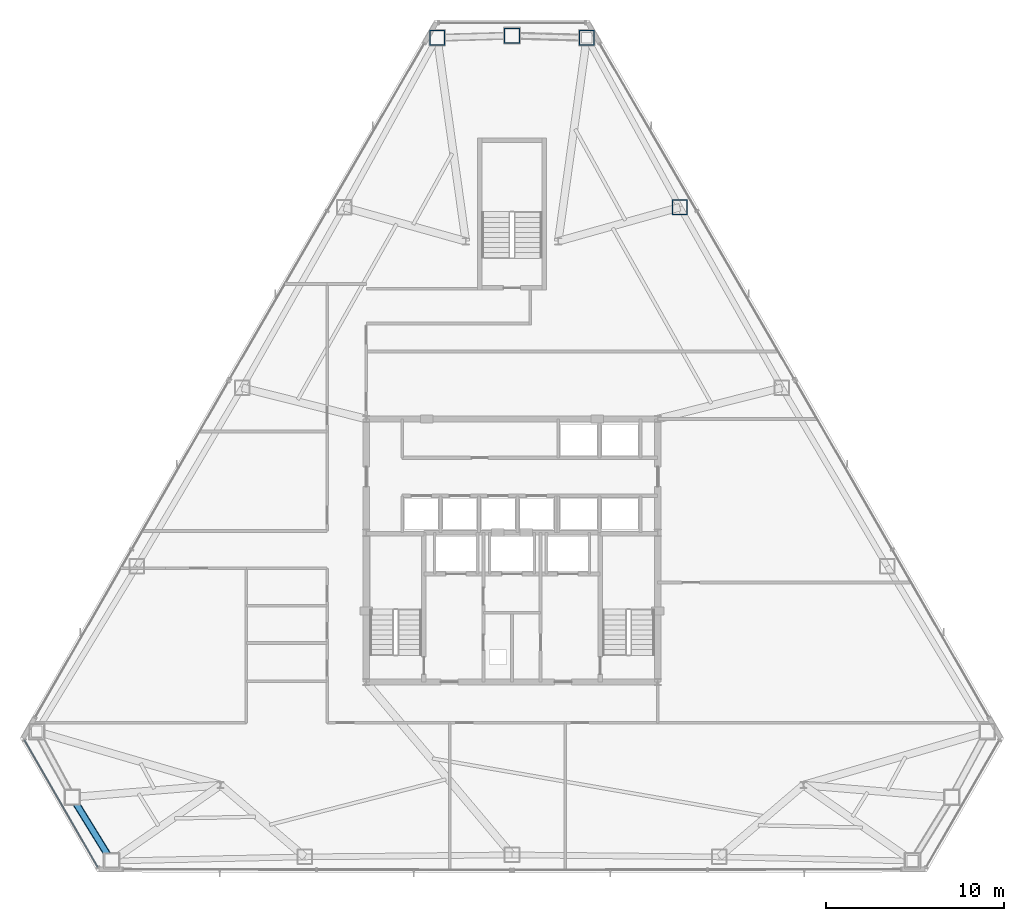
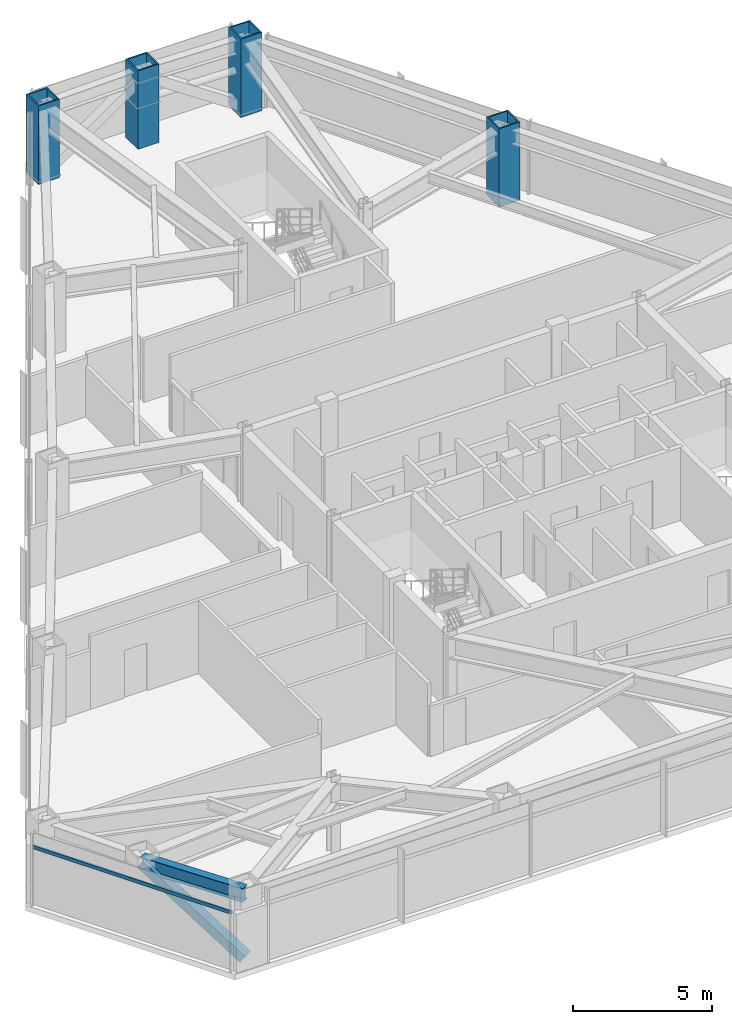
# One storey, part 3 of 13: 4 columns, 2 members, 1 beam, 1 element without a shape of its own.
"""IFC4 building model written with IfcOpenShell, lengths in metres."""

import ifcopenshell
import ifcopenshell.guid

model = None  # the IFC model being written
_history = None  # IfcOwnerHistory: only IFC2X3 demands one
_inside = {}  # id of a spatial element -> (the spatial element, [elements in it])
_under = {}  # id of a project, library or spatial element -> (it, [spatial elements below it])
_declared = {}  # id of a project -> (the project, [libraries it declares])
_typed = {}  # id of a type object -> (the type object, [elements of that type])
_made_of = {}  # id of a material, layer set ... -> (it, [elements and type objects made of it])


def new_model(schema):
    """Start an empty IFC model of exactly this schema.

    Asked for "IFC4X3", IfcOpenShell would pick the latest addendum, in which some entities
    have other attributes; the version numbers below select the first issue.
    IFC2X3 requires an IfcOwnerHistory on every rooted entity: one is made here for all.
    """
    global model, _history
    if schema == "IFC4X3":
        model = ifcopenshell.file(schema_version=(4, 3, 0, 0))
    else:
        model = ifcopenshell.file(schema=schema)
    _inside.clear()
    _under.clear()
    _declared.clear()
    _typed.clear()
    _made_of.clear()
    _history = None
    if model.schema == "IFC2X3":
        org = make("IfcOrganization", Name="unknown")
        user = make(
            "IfcPersonAndOrganization",
            ThePerson=make("IfcPerson", FamilyName="unknown"),
            TheOrganization=org,
        )
        app = make(
            "IfcApplication",
            ApplicationDeveloper=org,
            Version="unknown",
            ApplicationFullName="unknown",
            ApplicationIdentifier="unknown",
        )
        _history = make(
            "IfcOwnerHistory",
            OwningUser=user,
            OwningApplication=app,
            ChangeAction="ADDED",
            CreationDate=0,
        )
    return model


def make(cls, **values):
    """One entity of the class cls with the attributes given. An attribute that is None is left unset."""
    return model.create_entity(
        cls, **{name: value for name, value in values.items() if value is not None}
    )


def rooted(cls, **values):
    """An entity with a GlobalId (a new one), such as an element, a storey or a relation."""
    return make(cls, GlobalId=ifcopenshell.guid.new(), OwnerHistory=_history, **values)


def si_unit(unit_type, name, prefix=None):
    """IfcSIUnit, for example si_unit("LENGTHUNIT", "METRE", prefix="MILLI")."""
    return make("IfcSIUnit", UnitType=unit_type, Prefix=prefix, Name=name)


def assignment(units):
    """IfcUnitAssignment: the units of a project."""
    return None if units is None else make("IfcUnitAssignment", Units=units)


def point(xyz):
    """IfcCartesianPoint."""
    return None if xyz is None else make("IfcCartesianPoint", Coordinates=xyz)


def direction(xyz):
    """IfcDirection."""
    return None if xyz is None else make("IfcDirection", DirectionRatios=xyz)


def frame(location, z_axis=None, x_axis=None):
    """IfcAxis2Placement3D, a coordinate frame: its origin and axes. An axis left out is left unset."""
    return make(
        "IfcAxis2Placement3D",
        Location=point(location),
        Axis=direction(z_axis),
        RefDirection=direction(x_axis),
    )


def frame_2d(location, x_axis=None):
    """IfcAxis2Placement2D, a coordinate frame in the plane: its origin and x axis."""
    return make(
        "IfcAxis2Placement2D", Location=point(location), RefDirection=direction(x_axis)
    )


def origin():
    """The frame at (0, 0, 0) with its axes left unset."""
    return frame((0.0, 0.0, 0.0))


def origin_2d():
    """The frame at (0, 0) in the plane with its x axis left unset."""
    return frame_2d((0.0, 0.0))


def place(relative_to, where):
    """IfcLocalPlacement: puts the frame where relative to a parent placement (None: the world)."""
    return make(
        "IfcLocalPlacement", PlacementRelTo=relative_to, RelativePlacement=where
    )


def context(
    kind, dimensions, precision=None, world=None, true_north=None, identifier=None
):
    """IfcGeometricRepresentationContext, for example the 3D "Model" context."""
    return make(
        "IfcGeometricRepresentationContext",
        ContextIdentifier=identifier,
        ContextType=kind,
        CoordinateSpaceDimension=dimensions,
        Precision=precision,
        WorldCoordinateSystem=world,
        TrueNorth=true_north,
    )


def subcontext(parent, identifier, kind, view, scale=None):
    """IfcGeometricRepresentationSubContext, for example "Body" below "Model"."""
    return make(
        "IfcGeometricRepresentationSubContext",
        ContextIdentifier=identifier,
        ContextType=kind,
        ParentContext=parent,
        TargetScale=scale,
        TargetView=view,
    )


def project(units=None, contexts=None):
    """IfcProject with its units and contexts."""
    return rooted(
        "IfcProject",
        Name="project",
        RepresentationContexts=contexts,
        UnitsInContext=assignment(units),
    )


def spatial(cls, under=None, at=None, **own):
    """A site, building, storey or space (cls), placed at a placement, below another one or the project."""
    s = rooted(cls, ObjectPlacement=at, **own)
    if under is not None:
        _under.setdefault(under.id(), (under, []))[1].append(s)
    return s


def profile(cls, at=None, kind="AREA", **sizes):
    """A parametric profile (cls). Its sizes go by their IFC names, for example OverallWidth=200.0."""
    return make(cls, ProfileType=kind, Position=at, **sizes)


def rectangle(**sizes):
    """IfcRectangleProfileDef."""
    return profile("IfcRectangleProfileDef", **sizes)


def hollow_rectangle(**sizes):
    """IfcRectangleHollowProfileDef."""
    return profile("IfcRectangleHollowProfileDef", **sizes)


def i_section(**sizes):
    """IfcIShapeProfileDef."""
    return profile("IfcIShapeProfileDef", **sizes)


def extrude(swept, where, along, depth):
    """IfcExtrudedAreaSolid: the profile swept, set in the frame where, extruded along a direction by depth."""
    return make(
        "IfcExtrudedAreaSolid",
        SweptArea=swept,
        Position=where,
        ExtrudedDirection=direction(along),
        Depth=depth,
    )


def shape(context_of_items, identifier, shape_type, items):
    """IfcShapeRepresentation: the items that make up one representation, for example the "Body"."""
    return make(
        "IfcShapeRepresentation",
        ContextOfItems=context_of_items,
        RepresentationIdentifier=identifier,
        RepresentationType=shape_type,
        Items=items,
    )


def source(mapping_origin, context_of_items, identifier, shape_type, items):
    """IfcRepresentationMap: a shape defined once, which mapped items show again and again."""
    return make(
        "IfcRepresentationMap",
        MappingOrigin=mapping_origin,
        MappedRepresentation=shape(context_of_items, identifier, shape_type, items),
    )


def transform(
    local_origin,
    x_axis=None,
    y_axis=None,
    z_axis=None,
    scale=None,
    scale2=None,
    scale3=None,
    uniform=True,
):
    """IfcCartesianTransformationOperator3D, or its non-uniform kind. x_axis, y_axis, z_axis: its Axis1, 2, 3."""
    if uniform:
        return make(
            "IfcCartesianTransformationOperator3D",
            Axis1=direction(x_axis),
            Axis2=direction(y_axis),
            LocalOrigin=point(local_origin),
            Scale=scale,
            Axis3=direction(z_axis),
        )
    return make(
        "IfcCartesianTransformationOperator3DnonUniform",
        Axis1=direction(x_axis),
        Axis2=direction(y_axis),
        LocalOrigin=point(local_origin),
        Scale=scale,
        Axis3=direction(z_axis),
        Scale2=scale2,
        Scale3=scale3,
    )


def mapped(mapping_source, mapping_target):
    """IfcMappedItem: shows the shape of a source again, moved by a transform."""
    return make(
        "IfcMappedItem", MappingSource=mapping_source, MappingTarget=mapping_target
    )


def material(Name=None, Category=None):
    """IfcMaterial."""
    return make("IfcMaterial", Name=Name, Category=Category)


def layer(
    of_material, thickness, ventilated=None, Name=None, Category=None, Priority=None
):
    """IfcMaterialLayer: one layer of a wall or slab, of a material (None: an air gap)."""
    return make(
        "IfcMaterialLayer",
        Material=of_material,
        LayerThickness=thickness,
        IsVentilated=ventilated,
        Name=Name,
        Category=Category,
        Priority=Priority,
    )


def layer_set(layers, Name=None):
    """IfcMaterialLayerSet."""
    return make("IfcMaterialLayerSet", MaterialLayers=layers, LayerSetName=Name)


def material_profile(
    of_material, cross_section, Name=None, Category=None, Priority=None
):
    """IfcMaterialProfile: a cross section and its material."""
    return make(
        "IfcMaterialProfile",
        Name=Name,
        Material=of_material,
        Profile=cross_section,
        Priority=Priority,
        Category=Category,
    )


def profile_set(profiles, Name=None, composite=None):
    """IfcMaterialProfileSet."""
    return make(
        "IfcMaterialProfileSet",
        Name=Name,
        MaterialProfiles=profiles,
        CompositeProfile=composite,
    )


def made_of(thing, what):
    """Note that an element or type object is made of a material, layer set ...; save() writes the relation."""
    if what is not None:
        _made_of.setdefault(what.id(), (what, []))[1].append(thing)
    return thing


def type_object(cls, material=None, **own):
    """A type object (cls), such as IfcWallType, which elements share."""
    return made_of(rooted(cls, **own), material)


def type_shapes(of_type, sources):
    """Give a type object the sources (RepresentationMaps) that its elements show as mapped items."""
    of_type.RepresentationMaps = sources


def element(
    cls,
    number,
    at=None,
    inside=None,
    cuts=None,
    type_object=None,
    material=None,
    context=None,
    identifier="Body",
    shape_type=None,
    held_by="IfcProductDefinitionShape",
    body=None,
    shapes=None,
    **own,
):
    """One element of the class cls, such as IfcWall. Its Tag is "e" and its number.

    at: its placement. inside: the storey or other place that contains it. cuts: it is an
    opening in that element (IfcRelVoidsElement). A single representation is given by context,
    identifier, shape_type and body (its items); several are given by shapes. held_by: the class
    of the entity that holds the representations. save() writes the other relations.
    """
    e = rooted(cls, Tag="e%d" % number, ObjectPlacement=at, **own)
    if body is not None:
        shapes = [shape(context, identifier, shape_type, body)]
    if shapes is not None:
        e.Representation = make(held_by, Representations=shapes)
    if inside is not None:
        _inside.setdefault(inside.id(), (inside, []))[1].append(e)
    if cuts is not None:
        rooted(
            "IfcRelVoidsElement", RelatingBuildingElement=cuts, RelatedOpeningElement=e
        )
    if type_object is not None:
        _typed.setdefault(type_object.id(), (type_object, []))[1].append(e)
    return made_of(e, material)


def aggregate(whole, parts):
    """IfcRelAggregates: a whole, such as a stair, and the parts it consists of."""
    return rooted("IfcRelAggregates", RelatingObject=whole, RelatedObjects=parts)


def save(model, path):
    """Write the relations noted so far, then the file.

    IfcRelAggregates (storeys below a building ...), IfcRelContainedInSpatialStructure (elements
    in a storey), IfcRelDefinesByType, IfcRelAssociatesMaterial and IfcRelDeclares: one each for
    every whole, place, type object, material and project.
    """
    for whole, parts in _under.values():
        aggregate(whole, parts)
    for where, things in _inside.values():
        rooted(
            "IfcRelContainedInSpatialStructure",
            RelatedElements=things,
            RelatingStructure=where,
        )
    for kind, things in _typed.values():
        rooted("IfcRelDefinesByType", RelatedObjects=things, RelatingType=kind)
    for what, things in _made_of.values():
        rooted("IfcRelAssociatesMaterial", RelatedObjects=things, RelatingMaterial=what)
    for by, libraries in _declared.values():
        rooted("IfcRelDeclares", RelatingContext=by, RelatedDefinitions=libraries)
    model.write(path)


model = new_model("IFC4")

# Units and contexts
model_context = context("Model", 3, precision=1e-05, world=origin(), true_north=direction((0.0, 1.0)))
body_context = subcontext(model_context, "Body", "Model", "MODEL_VIEW")
ifc_project = project(units=[si_unit("LENGTHUNIT", "METRE"), si_unit("AREAUNIT", "SQUARE_METRE"), si_unit("VOLUMEUNIT", "CUBIC_METRE"), si_unit("PLANEANGLEUNIT", "RADIAN"), si_unit("MASSUNIT", "GRAM", prefix="KILO")], contexts=[model_context])

# Site, building, storey
site_placement = place(None, origin())
site = spatial("IfcSite", under=ifc_project, at=site_placement, CompositionType="ELEMENT")
building_placement = place(site_placement, origin())
building = spatial("IfcBuilding", under=site, at=building_placement, Name="Varakhsha Concourse Tower", CompositionType="ELEMENT")
storey_placement = place(building_placement, frame((0.0, 0.0, 126.35009765625)))
storey = spatial("IfcBuildingStorey", under=building, at=storey_placement, Name="L36", CompositionType="ELEMENT", Elevation=126.35009765625)

# Columns
ifc_material_1 = material(Name="Structural Steel ASTM A572 Grade 50", Category="steel")
ifc_material_profile_1 = material_profile(ifc_material_1, hollow_rectangle(XDim=0.8798828125, YDim=0.8798828125, WallThickness=0.06005859375, at=origin_2d()), Name="BOX 880x880x60")
ifc_profile_set_1 = profile_set([ifc_material_profile_1], Name="Structural Steel ASTM A572 Grade 50")
column_type = type_object("IfcColumnType", Name="CL-TUBE-880", PredefinedType="COLUMN", material=ifc_profile_set_1)
for number, where, z_axis, x_axis, name in (
    (1, (44.208984375, 52.652099609375, 0.0), (0.0, 0.0, 1.0), (1.0, 0.0, 0.0), "L36 Framed-Tube Column TC01"),
    (2, (40.0, 52.773193359375, 0.0), (0.0, 0.0, 1.0), (1.0, 0.0, 0.0), "L36 Framed-Tube Column TC02"),
    (3, (35.791015625, 52.652099609375, 0.0), (0.0, 0.0, 1.0), (1.0, 0.0, 0.0), "L36 Framed-Tube Column TC03"),
    (4, (49.445556640625, 43.120361328125, 0.0), (0.0, 0.0, 1.0), (1.0, 0.0, 0.0), "L36 Framed-Tube Column TC18"),
):
    element("IfcColumn", number, at=place(storey_placement, frame(where, z_axis=z_axis, x_axis=x_axis)), inside=storey, type_object=column_type, Name=name, PredefinedType="COLUMN", context=body_context, shape_type="SweptSolid", body=[
        extrude(hollow_rectangle(XDim=0.8798828125, YDim=0.8798828125, WallThickness=0.06005859375, at=origin_2d()), origin(), (0.0, 0.0, 1.0), 3.449951171875),
    ])

# Beam
ifc_material_2 = material(Name="Structural Steel ASTM A992 Grade 50", Category="steel")
ifc_material_profile_2 = material_profile(ifc_material_2, i_section(OverallWidth=0.323974609375, OverallDepth=0.611083984375, WebThickness=0.012939453125, FlangeThickness=0.01904296875, at=origin_2d()), Name="W24X104")
ifc_profile_set_2 = profile_set([ifc_material_profile_2], Name="Structural Steel ASTM A992 Grade 50")
beam_type = type_object("IfcBeamType", Name="BM-SPAN-W24X104", PredefinedType="SPANDREL", material=ifc_profile_set_2)
beam_placement = place(storey_placement, frame((15.2548828125, 9.913330078125, 2.904296875), z_axis=(0.524724867896, -0.851271879608, 0.0), x_axis=(0.851271879608, 0.524724867896, 0.0)))
element("IfcBeam", 5, at=beam_placement, inside=storey, type_object=beam_type, Name="BM-SPAN-L36-08", PredefinedType="SPANDREL", context=body_context, shape_type="SweptSolid", body=[
    extrude(i_section(OverallWidth=0.323974609375, OverallDepth=0.611083984375, WebThickness=0.012939453125, FlangeThickness=0.01904296875, at=origin_2d()), origin(), (0.0, 0.0, 1.0), 4.210693359375),
])

# Member
ifc_material_3 = material(Name="Structural Steel ASTM A500 Grade C", Category="steel")
ifc_material_profile_3 = material_profile(ifc_material_3, hollow_rectangle(XDim=0.39990234375, YDim=0.39990234375, WallThickness=0.01611328125, at=origin_2d()), Name="HSS 400x400x16")
ifc_profile_set_3 = profile_set([ifc_material_profile_3], Name="Structural Steel ASTM A500 Grade C")
member_type_1 = type_object("IfcMemberType", Name="MB-TUBE-HSS400", PredefinedType="BRACE", material=ifc_profile_set_3)
shared_shape_1 = source(origin(), body_context, "Body", "SweptSolid", [
    extrude(hollow_rectangle(XDim=0.39990234375, YDim=0.39990234375, WallThickness=0.01611328125, at=origin_2d()), origin(), (0.0, 0.0, 1.0), 5.05126953125),
])
type_shapes(member_type_1, [shared_shape_1])
member_1_placement = place(storey_placement, frame((17.46435546875, 6.328857421875, 0.119873046875), z_axis=(-0.43741616757, 0.709629190306, 0.552352703093), x_axis=(-0.851271879608, -0.524724867896, 0.0)))
element("IfcMember", 6, at=member_1_placement, inside=storey, type_object=member_type_1, Name="L36 Wind-Corner Tube Brace B04", PredefinedType="BRACE", context=body_context, shape_type="MappedRepresentation", body=[
    mapped(shared_shape_1, transform((0.0, 0.0, 0.0), scale=1.0)),
])

# Curtain wall, member
ifc_material_4 = material(Name="Anodised Bronze Architectural Aluminium AA 6063-T6", Category="aluminium")
ifc_layer = layer(ifc_material_4, 0.2099609375, Name="CW-SYS-04")
ifc_layer_set = layer_set([ifc_layer], Name="Anodised Bronze Architectural Aluminium AA 6063-T6")
curtain_wall_type = type_object("IfcCurtainWallType", Name="CW-SYS-04", PredefinedType="NOTDEFINED", material=ifc_layer_set)
curtain_wall_placement = place(storey_placement, origin())
curtain_wall = element("IfcCurtainWall", 7, at=curtain_wall_placement, inside=storey, type_object=curtain_wall_type, Name="L36 Chamfer Curtain Wall F4", PredefinedType="NOTDEFINED")
ifc_material_profile_4 = material_profile(ifc_material_4, rectangle(XDim=0.06494140625, YDim=0.159912109375, at=origin_2d()), Name="CWT-160X65")
ifc_profile_set_4 = profile_set([ifc_material_profile_4], Name="Anodised Bronze Architectural Aluminium AA 6063-T6")
member_type_2 = type_object("IfcMemberType", Name="CWT-160X65", PredefinedType="USERDEFINED", material=ifc_profile_set_4)
shared_shape_2 = source(origin(), body_context, "Body", "SweptSolid", [
    extrude(rectangle(XDim=0.06494140625, YDim=0.159912109375, at=origin_2d()), origin(), (0.0, 0.0, 1.0), 8.2744140625),
])
type_shapes(member_type_2, [shared_shape_2])
member_2_placement = place(storey_placement, frame((16.699951171875, 5.970458984375, 2.559814453125), z_axis=(-0.500004254331, 0.866022947531, 0.0), x_axis=(-0.866022947531, -0.500004254331, 0.0)))
member_2 = element("IfcMember", 8, at=member_2_placement, type_object=member_type_2, Name="CW-L36-F4 Transom 01", ObjectType="TRANSOM", PredefinedType="USERDEFINED", context=body_context, shape_type="MappedRepresentation", body=[
    mapped(shared_shape_2, transform((0.0, 0.0, 0.0), scale=1.0)),
])
aggregate(curtain_wall, [member_2])

save(model, "model.ifc")
